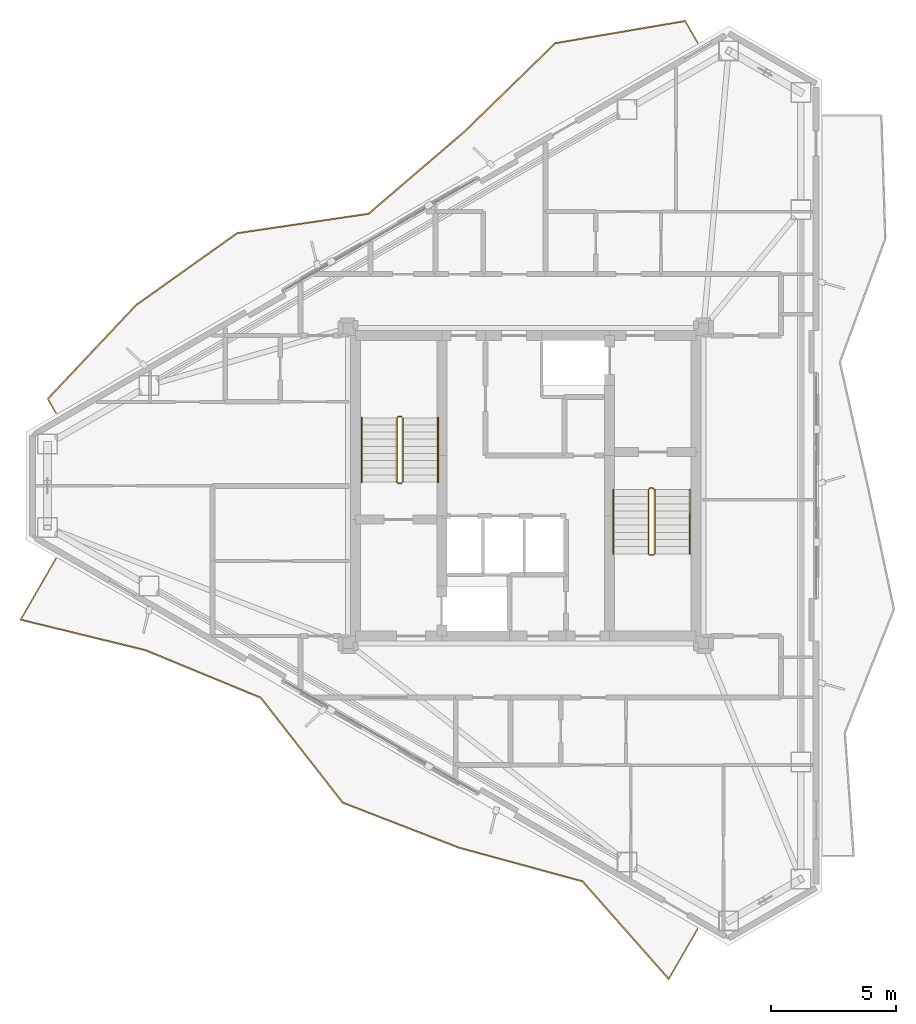
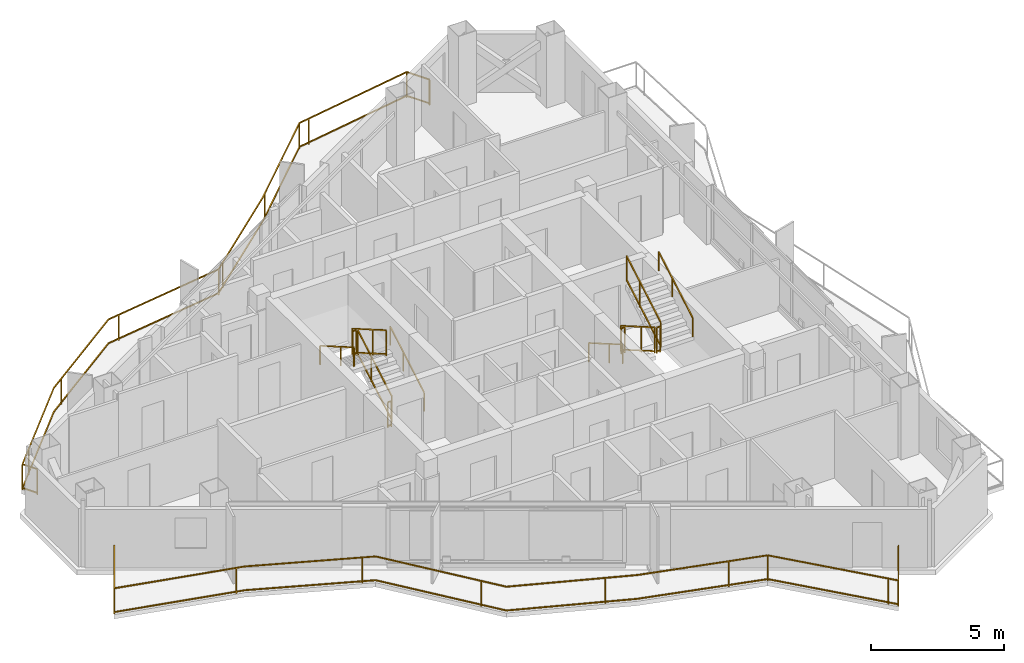
# One storey, part 21 of 22: 14 railings.
"""IFC4 building model written with IfcOpenShell, lengths in metres."""

from ifc_helpers import new_model, si_unit, direction, frame, origin, origin_2d, place, context, subcontext, project, spatial, rectangle, extrude, material, type_object, element, save


model = new_model("IFC4")

# Units and contexts
model_context = context("Model", 3, precision=1e-05, world=origin(), true_north=direction((0.0, 1.0)))
body_context = subcontext(model_context, "Body", "Model", "MODEL_VIEW")
ifc_project = project(units=[si_unit("LENGTHUNIT", "METRE"), si_unit("AREAUNIT", "SQUARE_METRE"), si_unit("VOLUMEUNIT", "CUBIC_METRE"), si_unit("PLANEANGLEUNIT", "RADIAN"), si_unit("MASSUNIT", "GRAM", prefix="KILO")], contexts=[model_context])

# Site, building, storey
site_placement = place(None, origin())
site = spatial("IfcSite", under=ifc_project, at=site_placement, CompositionType="ELEMENT")
building_placement = place(site_placement, origin())
building = spatial("IfcBuilding", under=site, at=building_placement, Name="Mersakhor Tower and Convention Hall", CompositionType="ELEMENT")
storey_placement = place(building_placement, frame((0.0, 0.0, 195.300048828125)))
storey = spatial("IfcBuildingStorey", under=building, at=storey_placement, Name="L54", CompositionType="ELEMENT", Elevation=195.300048828125)

# Railings
ifc_material_1 = material(Name="Powder-coated galvanised steel and laminated glass balustrade", Category="steel")
railing_type_1 = type_object("IfcRailingType", Name="RL-BAL-1200", PredefinedType="BALUSTRADE", material=ifc_material_1)
railing_1_placement = place(storey_placement, frame((35.86669921875, 44.44189453125, 0.0)))
element("IfcRailing", 1, at=railing_1_placement, inside=storey, type_object=railing_type_1, Name="L54 Sinusoidal Balcony Balustrade F1", PredefinedType="BALUSTRADE", context=body_context, shape_type="SweptSolid", body=[
    extrude(rectangle(XDim=0.048095703125, YDim=0.048095703125, at=origin_2d()), frame((0.0, 0.0, 1.17578125), z_axis=(-0.50001992892, 0.866013897511, 0.0), x_axis=(-0.866013897511, -0.50001992892, 0.0)), (0.0, 0.0, 1.0), 0.99462890625),
    extrude(rectangle(XDim=0.048095703125, YDim=0.048095703125, at=origin_2d()), frame((0.0, 0.0, 0.080078125), z_axis=(-0.50001992892, 0.866013897511, 0.0), x_axis=(-0.866013897511, -0.50001992892, 0.0)), (0.0, 0.0, 1.0), 0.99462890625),
    extrude(rectangle(XDim=0.048095703125, YDim=0.048095703125, at=origin_2d()), frame((-0.497314453125, 0.861328125, 1.17578125), z_axis=(-0.985749010358, -0.168222735022, 0.0), x_axis=(0.168222735022, -0.985749010358, 0.0)), (0.0, 0.0, 1.0), 5.258056640625),
    extrude(rectangle(XDim=0.048095703125, YDim=0.048095703125, at=origin_2d()), frame((-0.497314453125, 0.861328125, 0.080078125), z_axis=(-0.985749010358, -0.168222735022, 0.0), x_axis=(0.168222735022, -0.985749010358, 0.0)), (0.0, 0.0, 1.0), 5.258056640625),
    extrude(rectangle(XDim=0.048095703125, YDim=0.048095703125, at=origin_2d()), frame((-5.680419921875, -0.023193359375, 1.17578125), z_axis=(-0.716474344351, -0.69761344159, 0.0), x_axis=(0.69761344159, -0.716474344351, 0.0)), (0.0, 0.0, 1.0), 5.087158203125),
    extrude(rectangle(XDim=0.048095703125, YDim=0.048095703125, at=origin_2d()), frame((-5.680419921875, -0.023193359375, 0.080078125), z_axis=(-0.716474344351, -0.69761344159, 0.0), x_axis=(0.69761344159, -0.716474344351, 0.0)), (0.0, 0.0, 1.0), 5.087158203125),
    extrude(rectangle(XDim=0.048095703125, YDim=0.048095703125, at=origin_2d()), frame((-9.3251953125, -3.572021484375, 1.17578125), z_axis=(-0.759764879037, -0.650197914932, 0.0), x_axis=(0.650197914932, -0.759764879037, 0.0)), (0.0, 0.0, 1.0), 5.015869140625),
    extrude(rectangle(XDim=0.048095703125, YDim=0.048095703125, at=origin_2d()), frame((-9.3251953125, -3.572021484375, 0.080078125), z_axis=(-0.759764879037, -0.650197914932, 0.0), x_axis=(0.650197914932, -0.759764879037, 0.0)), (0.0, 0.0, 1.0), 5.015869140625),
    extrude(rectangle(XDim=0.048095703125, YDim=0.048095703125, at=origin_2d()), frame((-13.135986328125, -6.833251953125, 1.17578125), z_axis=(-0.989230884047, -0.146363445052, 0.0), x_axis=(0.146363445052, -0.989230884047, 0.0)), (0.0, 0.0, 1.0), 5.302734375),
    extrude(rectangle(XDim=0.048095703125, YDim=0.048095703125, at=origin_2d()), frame((-13.135986328125, -6.833251953125, 0.080078125), z_axis=(-0.989230884047, -0.146363445052, 0.0), x_axis=(0.146363445052, -0.989230884047, 0.0)), (0.0, 0.0, 1.0), 5.302734375),
    extrude(rectangle(XDim=0.048095703125, YDim=0.048095703125, at=origin_2d()), frame((-18.381591796875, -7.609375, 1.17578125), z_axis=(-0.814887549207, -0.579619083664, 0.0), x_axis=(0.579619083664, -0.814887549207, 0.0)), (0.0, 0.0, 1.0), 4.952880859375),
    extrude(rectangle(XDim=0.048095703125, YDim=0.048095703125, at=origin_2d()), frame((-18.381591796875, -7.609375, 0.080078125), z_axis=(-0.814887549207, -0.579619083664, 0.0), x_axis=(0.579619083664, -0.814887549207, 0.0)), (0.0, 0.0, 1.0), 4.952880859375),
    extrude(rectangle(XDim=0.048095703125, YDim=0.048095703125, at=origin_2d()), frame((-22.417724609375, -10.480224609375, 1.17578125), z_axis=(-0.685375051803, -0.728190248744, 0.0), x_axis=(0.728190248744, -0.685375051803, 0.0)), (0.0, 0.0, 1.0), 5.149169921875),
    extrude(rectangle(XDim=0.048095703125, YDim=0.048095703125, at=origin_2d()), frame((-22.417724609375, -10.480224609375, 0.080078125), z_axis=(-0.685375051803, -0.728190248744, 0.0), x_axis=(0.728190248744, -0.685375051803, 0.0)), (0.0, 0.0, 1.0), 5.149169921875),
    extrude(rectangle(XDim=0.048095703125, YDim=0.048095703125, at=origin_2d()), frame((-25.94677734375, -14.229736328125, 1.17578125), z_axis=(0.500058503878, -0.86599162392, 0.0), x_axis=(0.86599162392, 0.500058503878, 0.0)), (0.0, 0.0, 1.0), 0.64990234375),
    extrude(rectangle(XDim=0.048095703125, YDim=0.048095703125, at=origin_2d()), frame((-25.94677734375, -14.229736328125, 0.080078125), z_axis=(0.500058503878, -0.86599162392, 0.0), x_axis=(0.86599162392, 0.500058503878, 0.0)), (0.0, 0.0, 1.0), 0.64990234375),
    extrude(rectangle(XDim=0.0419921875, YDim=0.0419921875, at=origin_2d()), origin(), (0.0, 0.0, 1.0), 1.15185546875),
    extrude(rectangle(XDim=0.0419921875, YDim=0.0419921875, at=origin_2d()), frame((-0.497314453125, 0.861328125, 0.0)), (0.0, 0.0, 1.0), 1.15185546875),
    extrude(rectangle(XDim=0.0419921875, YDim=0.0419921875, at=origin_2d()), frame((-5.22900390625, 0.053955078125, 0.0)), (0.0, 0.0, 1.0), 1.15185546875),
    extrude(rectangle(XDim=0.0419921875, YDim=0.0419921875, at=origin_2d()), frame((-5.680419921875, -0.023193359375, 0.0)), (0.0, 0.0, 1.0), 1.15185546875),
    extrude(rectangle(XDim=0.0419921875, YDim=0.0419921875, at=origin_2d()), frame((-9.119384765625, -3.371826171875, 0.0)), (0.0, 0.0, 1.0), 1.15185546875),
    extrude(rectangle(XDim=0.0419921875, YDim=0.0419921875, at=origin_2d()), frame((-12.75390625, -6.50634765625, 0.0)), (0.0, 0.0, 1.0), 1.15185546875),
    extrude(rectangle(XDim=0.0419921875, YDim=0.0419921875, at=origin_2d()), frame((-13.135986328125, -6.833251953125, 0.0)), (0.0, 0.0, 1.0), 1.15185546875),
    extrude(rectangle(XDim=0.0419921875, YDim=0.0419921875, at=origin_2d()), frame((-17.88427734375, -7.535888671875, 0.0)), (0.0, 0.0, 1.0), 1.15185546875),
    extrude(rectangle(XDim=0.0419921875, YDim=0.0419921875, at=origin_2d()), frame((-21.88330078125, -10.10009765625, 0.0)), (0.0, 0.0, 1.0), 1.15185546875),
    extrude(rectangle(XDim=0.0419921875, YDim=0.0419921875, at=origin_2d()), frame((-25.258056640625, -13.498046875, 0.0)), (0.0, 0.0, 1.0), 1.15185546875),
    extrude(rectangle(XDim=0.0419921875, YDim=0.0419921875, at=origin_2d()), frame((-25.94677734375, -14.229736328125, 0.0)), (0.0, 0.0, 1.0), 1.15185546875),
    extrude(rectangle(XDim=0.0419921875, YDim=0.0419921875, at=origin_2d()), frame((-25.621826171875, -14.79248046875, 0.0)), (0.0, 0.0, 1.0), 1.15185546875),
])
railing_2_placement = place(storey_placement, frame((10.244873046875, 23.8505859375, 0.0)))
element("IfcRailing", 2, at=railing_2_placement, inside=storey, type_object=railing_type_1, Name="L54 Sinusoidal Balcony Balustrade F3", PredefinedType="BALUSTRADE", context=body_context, shape_type="SweptSolid", body=[
    extrude(rectangle(XDim=0.048095703125, YDim=0.048095703125, at=origin_2d()), frame((0.0, 0.0, 1.17578125), z_axis=(-0.499984757355, -0.866034203951, 0.0), x_axis=(0.866034203951, -0.499984757355, 0.0)), (0.0, 0.0, 1.0), 2.81982421875),
    extrude(rectangle(XDim=0.048095703125, YDim=0.048095703125, at=origin_2d()), frame((0.0, 0.0, 0.080078125), z_axis=(-0.499984757355, -0.866034203951, 0.0), x_axis=(0.866034203951, -0.499984757355, 0.0)), (0.0, 0.0, 1.0), 2.81982421875),
    extrude(rectangle(XDim=0.048095703125, YDim=0.048095703125, at=origin_2d()), frame((-1.409912109375, -2.442138671875, 1.17578125), z_axis=(0.971409481548, -0.237410233894, 0.0), x_axis=(0.237410233894, 0.971409481548, 0.0)), (0.0, 0.0, 1.0), 5.13671875),
    extrude(rectangle(XDim=0.048095703125, YDim=0.048095703125, at=origin_2d()), frame((-1.409912109375, -2.442138671875, 0.080078125), z_axis=(0.971409481548, -0.237410233894, 0.0), x_axis=(0.237410233894, 0.971409481548, 0.0)), (0.0, 0.0, 1.0), 5.13671875),
    extrude(rectangle(XDim=0.048095703125, YDim=0.048095703125, at=origin_2d()), frame((3.579833984375, -3.66162109375, 1.17578125), z_axis=(0.924512330997, -0.381152134763, 0.0), x_axis=(0.381152134763, 0.924512330997, 0.0)), (0.0, 0.0, 1.0), 4.974365234375),
    extrude(rectangle(XDim=0.048095703125, YDim=0.048095703125, at=origin_2d()), frame((3.579833984375, -3.66162109375, 0.080078125), z_axis=(0.924512330997, -0.381152134763, 0.0), x_axis=(0.381152134763, 0.924512330997, 0.0)), (0.0, 0.0, 1.0), 4.974365234375),
    extrude(rectangle(XDim=0.048095703125, YDim=0.048095703125, at=origin_2d()), frame((8.1787109375, -5.5576171875, 1.17578125), z_axis=(0.615572775497, -0.788080045469, 0.0), x_axis=(0.788080045469, 0.615572775497, 0.0)), (0.0, 0.0, 1.0), 5.318603515625),
    extrude(rectangle(XDim=0.048095703125, YDim=0.048095703125, at=origin_2d()), frame((8.1787109375, -5.5576171875, 0.080078125), z_axis=(0.615572775497, -0.788080045469, 0.0), x_axis=(0.788080045469, 0.615572775497, 0.0)), (0.0, 0.0, 1.0), 5.318603515625),
    extrude(rectangle(XDim=0.048095703125, YDim=0.048095703125, at=origin_2d()), frame((11.45263671875, -9.7490234375, 1.17578125), z_axis=(0.932614846253, -0.360873313711, 0.0), x_axis=(0.360873313711, 0.932614846253, 0.0)), (0.0, 0.0, 1.0), 4.989990234375),
    extrude(rectangle(XDim=0.048095703125, YDim=0.048095703125, at=origin_2d()), frame((11.45263671875, -9.7490234375, 0.080078125), z_axis=(0.932614846253, -0.360873313711, 0.0), x_axis=(0.360873313711, 0.932614846253, 0.0)), (0.0, 0.0, 1.0), 4.989990234375),
    extrude(rectangle(XDim=0.048095703125, YDim=0.048095703125, at=origin_2d()), frame((16.1064453125, -11.5498046875, 1.17578125), z_axis=(0.964840013672, -0.262837874017, 0.0), x_axis=(0.262837874017, 0.964840013672, 0.0)), (0.0, 0.0, 1.0), 5.099365234375),
    extrude(rectangle(XDim=0.048095703125, YDim=0.048095703125, at=origin_2d()), frame((16.1064453125, -11.5498046875, 0.080078125), z_axis=(0.964840013672, -0.262837874017, 0.0), x_axis=(0.262837874017, 0.964840013672, 0.0)), (0.0, 0.0, 1.0), 5.099365234375),
    extrude(rectangle(XDim=0.048095703125, YDim=0.048095703125, at=origin_2d()), frame((21.026611328125, -12.89013671875, 1.17578125), z_axis=(0.661904144711, -0.749588489249, 0.0), x_axis=(0.749588489249, 0.661904144711, 0.0)), (0.0, 0.0, 1.0), 5.201171875),
    extrude(rectangle(XDim=0.048095703125, YDim=0.048095703125, at=origin_2d()), frame((21.026611328125, -12.89013671875, 0.080078125), z_axis=(0.661904144711, -0.749588489249, 0.0), x_axis=(0.749588489249, 0.661904144711, 0.0)), (0.0, 0.0, 1.0), 5.201171875),
    extrude(rectangle(XDim=0.048095703125, YDim=0.048095703125, at=origin_2d()), frame((24.46923828125, -16.788818359375, 1.17578125), z_axis=(0.500000544019, 0.866025089694, 0.0), x_axis=(-0.866025089694, 0.500000544019, 0.0)), (0.0, 0.0, 1.0), 2.30517578125),
    extrude(rectangle(XDim=0.048095703125, YDim=0.048095703125, at=origin_2d()), frame((24.46923828125, -16.788818359375, 0.080078125), z_axis=(0.500000544019, 0.866025089694, 0.0), x_axis=(-0.866025089694, 0.500000544019, 0.0)), (0.0, 0.0, 1.0), 2.30517578125),
    extrude(rectangle(XDim=0.0419921875, YDim=0.0419921875, at=origin_2d()), origin(), (0.0, 0.0, 1.0), 1.15185546875),
    extrude(rectangle(XDim=0.0419921875, YDim=0.0419921875, at=origin_2d()), frame((-1.409912109375, -2.442138671875, 0.0)), (0.0, 0.0, 1.0), 1.15185546875),
    extrude(rectangle(XDim=0.0419921875, YDim=0.0419921875, at=origin_2d()), frame((3.2529296875, -3.581787109375, 0.0)), (0.0, 0.0, 1.0), 1.15185546875),
    extrude(rectangle(XDim=0.0419921875, YDim=0.0419921875, at=origin_2d()), frame((7.706298828125, -5.36279296875, 0.0)), (0.0, 0.0, 1.0), 1.15185546875),
    extrude(rectangle(XDim=0.0419921875, YDim=0.0419921875, at=origin_2d()), frame((10.81884765625, -8.937744140625, 0.0)), (0.0, 0.0, 1.0), 1.15185546875),
    extrude(rectangle(XDim=0.0419921875, YDim=0.0419921875, at=origin_2d()), frame((14.968994140625, -11.109619140625, 0.0)), (0.0, 0.0, 1.0), 1.15185546875),
    extrude(rectangle(XDim=0.0419921875, YDim=0.0419921875, at=origin_2d()), frame((19.56103515625, -12.490966796875, 0.0)), (0.0, 0.0, 1.0), 1.15185546875),
    extrude(rectangle(XDim=0.0419921875, YDim=0.0419921875, at=origin_2d()), frame((21.026611328125, -12.89013671875, 0.0)), (0.0, 0.0, 1.0), 1.15185546875),
    extrude(rectangle(XDim=0.0419921875, YDim=0.0419921875, at=origin_2d()), frame((24.203857421875, -16.48828125, 0.0)), (0.0, 0.0, 1.0), 1.15185546875),
    extrude(rectangle(XDim=0.0419921875, YDim=0.0419921875, at=origin_2d()), frame((24.46923828125, -16.788818359375, 0.0)), (0.0, 0.0, 1.0), 1.15185546875),
    extrude(rectangle(XDim=0.0419921875, YDim=0.0419921875, at=origin_2d()), frame((25.621826171875, -14.79248046875, 0.0)), (0.0, 0.0, 1.0), 1.15185546875),
])
ifc_material_2 = material(Name="Brushed stainless steel handrail", Category="steel")
railing_type_2 = type_object("IfcRailingType", Name="RL-HR-900", PredefinedType="HANDRAIL", material=ifc_material_2)
railing_3_placement = place(storey_placement, frame((25.5, 26.89990234375, 0.1650390625)))
element("IfcRailing", 3, at=railing_3_placement, inside=storey, type_object=railing_type_2, Name="L54 ST-1 stair handrail 1", PredefinedType="HANDRAIL", context=body_context, shape_type="SweptSolid", body=[
    extrude(rectangle(XDim=0.048095703125, YDim=0.048095703125, at=origin_2d()), frame((0.0, 0.0, 0.8759765625), z_axis=(0.0, 0.865461999751, 0.500974577186), x_axis=(-1.0, 0.0, 0.0)), (0.0, 0.0, 1.0), 2.9638671875),
    extrude(rectangle(XDim=0.0419921875, YDim=0.0419921875, at=origin_2d()), origin(), (0.0, 0.0, 1.0), 0.851806640625),
    extrude(rectangle(XDim=0.0419921875, YDim=0.0419921875, at=origin_2d()), frame((0.0, 1.557861328125, 0.90185546875)), (0.0, 0.0, 1.0), 0.851806640625),
    extrude(rectangle(XDim=0.0419921875, YDim=0.0419921875, at=origin_2d()), frame((0.0, 2.565185546875, 1.48486328125)), (0.0, 0.0, 1.0), 0.851806640625),
])
railing_4_placement = place(storey_placement, frame((22.449951171875, 29.465087890625, 1.81494140625)))
element("IfcRailing", 4, at=railing_4_placement, inside=storey, type_object=railing_type_2, Name="L54 ST-1 stair handrail 2", PredefinedType="HANDRAIL", context=body_context, shape_type="SweptSolid", body=[
    extrude(rectangle(XDim=0.048095703125, YDim=0.048095703125, at=origin_2d()), frame((0.0, 0.0, 0.8759765625), z_axis=(0.0, -0.865426285481, 0.501036270542), x_axis=(1.0, 0.0, 0.0)), (0.0, 0.0, 1.0), 2.964111328125),
    extrude(rectangle(XDim=0.0419921875, YDim=0.0419921875, at=origin_2d()), origin(), (0.0, 0.0, 1.0), 0.851806640625),
    extrude(rectangle(XDim=0.0419921875, YDim=0.0419921875, at=origin_2d()), frame((0.0, -1.557861328125, 0.90185546875)), (0.0, 0.0, 1.0), 0.851806640625),
    extrude(rectangle(XDim=0.0419921875, YDim=0.0419921875, at=origin_2d()), frame((0.0, -2.565185546875, 1.485107421875)), (0.0, 0.0, 1.0), 0.851806640625),
])
railing_5_placement = place(storey_placement, frame((32.5, 26.60009765625, 0.1650390625)))
element("IfcRailing", 5, at=railing_5_placement, inside=storey, type_object=railing_type_2, Name="L54 ST-2 stair handrail 1", PredefinedType="HANDRAIL", context=body_context, shape_type="SweptSolid", body=[
    extrude(rectangle(XDim=0.048095703125, YDim=0.048095703125, at=origin_2d()), frame((0.0, 0.0, 0.8759765625), z_axis=(0.0, -0.865461999751, 0.500974577186), x_axis=(1.0, 0.0, 0.0)), (0.0, 0.0, 1.0), 2.9638671875),
    extrude(rectangle(XDim=0.0419921875, YDim=0.0419921875, at=origin_2d()), origin(), (0.0, 0.0, 1.0), 0.851806640625),
    extrude(rectangle(XDim=0.0419921875, YDim=0.0419921875, at=origin_2d()), frame((0.0, -1.557861328125, 0.90185546875)), (0.0, 0.0, 1.0), 0.851806640625),
    extrude(rectangle(XDim=0.0419921875, YDim=0.0419921875, at=origin_2d()), frame((0.0, -2.565185546875, 1.48486328125)), (0.0, 0.0, 1.0), 0.851806640625),
])
railing_6_placement = place(storey_placement, frame((35.550048828125, 24.034912109375, 1.81494140625)))
element("IfcRailing", 6, at=railing_6_placement, inside=storey, type_object=railing_type_2, Name="L54 ST-2 stair handrail 2", PredefinedType="HANDRAIL", context=body_context, shape_type="SweptSolid", body=[
    extrude(rectangle(XDim=0.048095703125, YDim=0.048095703125, at=origin_2d()), frame((0.0, 0.0, 0.8759765625), z_axis=(0.0, 0.865426285481, 0.501036270542), x_axis=(-1.0, 0.0, 0.0)), (0.0, 0.0, 1.0), 2.964111328125),
    extrude(rectangle(XDim=0.0419921875, YDim=0.0419921875, at=origin_2d()), origin(), (0.0, 0.0, 1.0), 0.851806640625),
    extrude(rectangle(XDim=0.0419921875, YDim=0.0419921875, at=origin_2d()), frame((0.0, 1.557861328125, 0.90185546875)), (0.0, 0.0, 1.0), 0.851806640625),
    extrude(rectangle(XDim=0.0419921875, YDim=0.0419921875, at=origin_2d()), frame((0.0, 2.565185546875, 1.485107421875)), (0.0, 0.0, 1.0), 0.851806640625),
])
ifc_material_3 = material(Name="Painted steel stair balustrade S355", Category="steel")
railing_type_3 = type_object("IfcRailingType", Name="RL-STG-1200", PredefinedType="BALUSTRADE", material=ifc_material_3)
railing_7_placement = place(storey_placement, frame((24.10009765625, 26.89990234375, 0.1650390625)))
element("IfcRailing", 7, at=railing_7_placement, inside=storey, type_object=railing_type_3, Name="L54 ST-1 stair guard 1", PredefinedType="BALUSTRADE", context=body_context, shape_type="SweptSolid", body=[
    extrude(rectangle(XDim=0.048095703125, YDim=0.048095703125, at=origin_2d()), frame((0.0, 0.0, 1.17578125), z_axis=(0.0, 0.865461999751, 0.500974577186), x_axis=(-1.0, 0.0, 0.0)), (0.0, 0.0, 1.0), 2.9638671875),
    extrude(rectangle(XDim=0.048095703125, YDim=0.048095703125, at=origin_2d()), frame((0.0, 0.0, 0.080078125), z_axis=(0.0, 0.865461999751, 0.500974577186), x_axis=(-1.0, 0.0, 0.0)), (0.0, 0.0, 1.0), 2.9638671875),
    extrude(rectangle(XDim=0.0419921875, YDim=0.0419921875, at=origin_2d()), origin(), (0.0, 0.0, 1.0), 1.15185546875),
    extrude(rectangle(XDim=0.0419921875, YDim=0.0419921875, at=origin_2d()), frame((0.0, 1.557861328125, 0.90185546875)), (0.0, 0.0, 1.0), 1.15185546875),
    extrude(rectangle(XDim=0.0419921875, YDim=0.0419921875, at=origin_2d()), frame((0.0, 2.565185546875, 1.48486328125)), (0.0, 0.0, 1.0), 1.15185546875),
])
railing_8_placement = place(storey_placement, frame((24.050048828125, 29.514892578125, 1.64990234375)))
element("IfcRailing", 8, at=railing_8_placement, inside=storey, type_object=railing_type_3, Name="L54 ST-1 stair guard 2", PredefinedType="BALUSTRADE", context=body_context, shape_type="SweptSolid", body=[
    extrude(rectangle(XDim=0.048095703125, YDim=0.048095703125, at=origin_2d()), frame((0.0, 0.0, 1.17578125), z_axis=(-1.0, 0.0, 0.0), x_axis=(0.0, -1.0, 0.0)), (0.0, 0.0, 1.0), 0.150146484375),
    extrude(rectangle(XDim=0.048095703125, YDim=0.048095703125, at=origin_2d()), frame((0.0, 0.0, 0.080078125), z_axis=(-1.0, 0.0, 0.0), x_axis=(0.0, -1.0, 0.0)), (0.0, 0.0, 1.0), 0.150146484375),
    extrude(rectangle(XDim=0.0419921875, YDim=0.0419921875, at=origin_2d()), origin(), (0.0, 0.0, 1.0), 1.15185546875),
    extrude(rectangle(XDim=0.0419921875, YDim=0.0419921875, at=origin_2d()), frame((-0.150146484375, 0.0, 0.0)), (0.0, 0.0, 1.0), 1.15185546875),
])
railing_9_placement = place(storey_placement, frame((23.85009765625, 29.465087890625, 1.81494140625)))
element("IfcRailing", 9, at=railing_9_placement, inside=storey, type_object=railing_type_3, Name="L54 ST-1 stair guard 3", PredefinedType="BALUSTRADE", context=body_context, shape_type="SweptSolid", body=[
    extrude(rectangle(XDim=0.048095703125, YDim=0.048095703125, at=origin_2d()), frame((0.0, 0.0, 1.17578125), z_axis=(0.0, -0.865426285481, 0.501036270542), x_axis=(1.0, 0.0, 0.0)), (0.0, 0.0, 1.0), 2.964111328125),
    extrude(rectangle(XDim=0.048095703125, YDim=0.048095703125, at=origin_2d()), frame((0.0, 0.0, 0.080078125), z_axis=(0.0, -0.865426285481, 0.501036270542), x_axis=(1.0, 0.0, 0.0)), (0.0, 0.0, 1.0), 2.964111328125),
    extrude(rectangle(XDim=0.0419921875, YDim=0.0419921875, at=origin_2d()), origin(), (0.0, 0.0, 1.0), 1.15185546875),
    extrude(rectangle(XDim=0.0419921875, YDim=0.0419921875, at=origin_2d()), frame((0.0, -1.557861328125, 0.90185546875)), (0.0, 0.0, 1.0), 1.15185546875),
    extrude(rectangle(XDim=0.0419921875, YDim=0.0419921875, at=origin_2d()), frame((0.0, -2.565185546875, 1.485107421875)), (0.0, 0.0, 1.0), 1.15185546875),
])
railing_10_placement = place(storey_placement, frame((24.050048828125, 26.85009765625, 0.0)))
element("IfcRailing", 10, at=railing_10_placement, inside=storey, type_object=railing_type_3, Name="L54 ST-1 stair guard 4", PredefinedType="BALUSTRADE", context=body_context, shape_type="SweptSolid", body=[
    extrude(rectangle(XDim=0.048095703125, YDim=0.048095703125, at=origin_2d()), frame((0.0, 0.0, 1.17578125), z_axis=(-1.0, 0.0, 0.0), x_axis=(0.0, -1.0, 0.0)), (0.0, 0.0, 1.0), 0.150146484375),
    extrude(rectangle(XDim=0.048095703125, YDim=0.048095703125, at=origin_2d()), frame((0.0, 0.0, 0.080078125), z_axis=(-1.0, 0.0, 0.0), x_axis=(0.0, -1.0, 0.0)), (0.0, 0.0, 1.0), 0.150146484375),
    extrude(rectangle(XDim=0.0419921875, YDim=0.0419921875, at=origin_2d()), origin(), (0.0, 0.0, 1.0), 1.15185546875),
    extrude(rectangle(XDim=0.0419921875, YDim=0.0419921875, at=origin_2d()), frame((-0.150146484375, 0.0, 0.0)), (0.0, 0.0, 1.0), 1.15185546875),
])
railing_11_placement = place(storey_placement, frame((33.89990234375, 26.60009765625, 0.1650390625)))
element("IfcRailing", 11, at=railing_11_placement, inside=storey, type_object=railing_type_3, Name="L54 ST-2 stair guard 1", PredefinedType="BALUSTRADE", context=body_context, shape_type="SweptSolid", body=[
    extrude(rectangle(XDim=0.048095703125, YDim=0.048095703125, at=origin_2d()), frame((0.0, 0.0, 1.17578125), z_axis=(0.0, -0.865461999751, 0.500974577186), x_axis=(1.0, 0.0, 0.0)), (0.0, 0.0, 1.0), 2.9638671875),
    extrude(rectangle(XDim=0.048095703125, YDim=0.048095703125, at=origin_2d()), frame((0.0, 0.0, 0.080078125), z_axis=(0.0, -0.865461999751, 0.500974577186), x_axis=(1.0, 0.0, 0.0)), (0.0, 0.0, 1.0), 2.9638671875),
    extrude(rectangle(XDim=0.0419921875, YDim=0.0419921875, at=origin_2d()), origin(), (0.0, 0.0, 1.0), 1.15185546875),
    extrude(rectangle(XDim=0.0419921875, YDim=0.0419921875, at=origin_2d()), frame((0.0, -1.557861328125, 0.90185546875)), (0.0, 0.0, 1.0), 1.15185546875),
    extrude(rectangle(XDim=0.0419921875, YDim=0.0419921875, at=origin_2d()), frame((0.0, -2.565185546875, 1.48486328125)), (0.0, 0.0, 1.0), 1.15185546875),
])
railing_12_placement = place(storey_placement, frame((33.949951171875, 23.985107421875, 1.64990234375)))
element("IfcRailing", 12, at=railing_12_placement, inside=storey, type_object=railing_type_3, Name="L54 ST-2 stair guard 2", PredefinedType="BALUSTRADE", context=body_context, shape_type="SweptSolid", body=[
    extrude(rectangle(XDim=0.048095703125, YDim=0.048095703125, at=origin_2d()), frame((0.0, 0.0, 1.17578125), z_axis=(1.0, 0.0, 0.0), x_axis=(0.0, 1.0, 0.0)), (0.0, 0.0, 1.0), 0.150146484375),
    extrude(rectangle(XDim=0.048095703125, YDim=0.048095703125, at=origin_2d()), frame((0.0, 0.0, 0.080078125), z_axis=(1.0, 0.0, 0.0), x_axis=(0.0, 1.0, 0.0)), (0.0, 0.0, 1.0), 0.150146484375),
    extrude(rectangle(XDim=0.0419921875, YDim=0.0419921875, at=origin_2d()), origin(), (0.0, 0.0, 1.0), 1.15185546875),
    extrude(rectangle(XDim=0.0419921875, YDim=0.0419921875, at=origin_2d()), frame((0.150146484375, 0.0, 0.0)), (0.0, 0.0, 1.0), 1.15185546875),
])
railing_13_placement = place(storey_placement, frame((34.14990234375, 24.034912109375, 1.81494140625)))
element("IfcRailing", 13, at=railing_13_placement, inside=storey, type_object=railing_type_3, Name="L54 ST-2 stair guard 3", PredefinedType="BALUSTRADE", context=body_context, shape_type="SweptSolid", body=[
    extrude(rectangle(XDim=0.048095703125, YDim=0.048095703125, at=origin_2d()), frame((0.0, 0.0, 1.17578125), z_axis=(0.0, 0.865426285481, 0.501036270542), x_axis=(-1.0, 0.0, 0.0)), (0.0, 0.0, 1.0), 2.964111328125),
    extrude(rectangle(XDim=0.048095703125, YDim=0.048095703125, at=origin_2d()), frame((0.0, 0.0, 0.080078125), z_axis=(0.0, 0.865426285481, 0.501036270542), x_axis=(-1.0, 0.0, 0.0)), (0.0, 0.0, 1.0), 2.964111328125),
    extrude(rectangle(XDim=0.0419921875, YDim=0.0419921875, at=origin_2d()), origin(), (0.0, 0.0, 1.0), 1.15185546875),
    extrude(rectangle(XDim=0.0419921875, YDim=0.0419921875, at=origin_2d()), frame((0.0, 1.557861328125, 0.90185546875)), (0.0, 0.0, 1.0), 1.15185546875),
    extrude(rectangle(XDim=0.0419921875, YDim=0.0419921875, at=origin_2d()), frame((0.0, 2.565185546875, 1.485107421875)), (0.0, 0.0, 1.0), 1.15185546875),
])
railing_14_placement = place(storey_placement, frame((33.949951171875, 26.64990234375, 0.0)))
element("IfcRailing", 14, at=railing_14_placement, inside=storey, type_object=railing_type_3, Name="L54 ST-2 stair guard 4", PredefinedType="BALUSTRADE", context=body_context, shape_type="SweptSolid", body=[
    extrude(rectangle(XDim=0.048095703125, YDim=0.048095703125, at=origin_2d()), frame((0.0, 0.0, 1.17578125), z_axis=(1.0, 0.0, 0.0), x_axis=(0.0, 1.0, 0.0)), (0.0, 0.0, 1.0), 0.150146484375),
    extrude(rectangle(XDim=0.048095703125, YDim=0.048095703125, at=origin_2d()), frame((0.0, 0.0, 0.080078125), z_axis=(1.0, 0.0, 0.0), x_axis=(0.0, 1.0, 0.0)), (0.0, 0.0, 1.0), 0.150146484375),
    extrude(rectangle(XDim=0.0419921875, YDim=0.0419921875, at=origin_2d()), origin(), (0.0, 0.0, 1.0), 1.15185546875),
    extrude(rectangle(XDim=0.0419921875, YDim=0.0419921875, at=origin_2d()), frame((0.150146484375, 0.0, 0.0)), (0.0, 0.0, 1.0), 1.15185546875),
])

save(model, "model.ifc")
